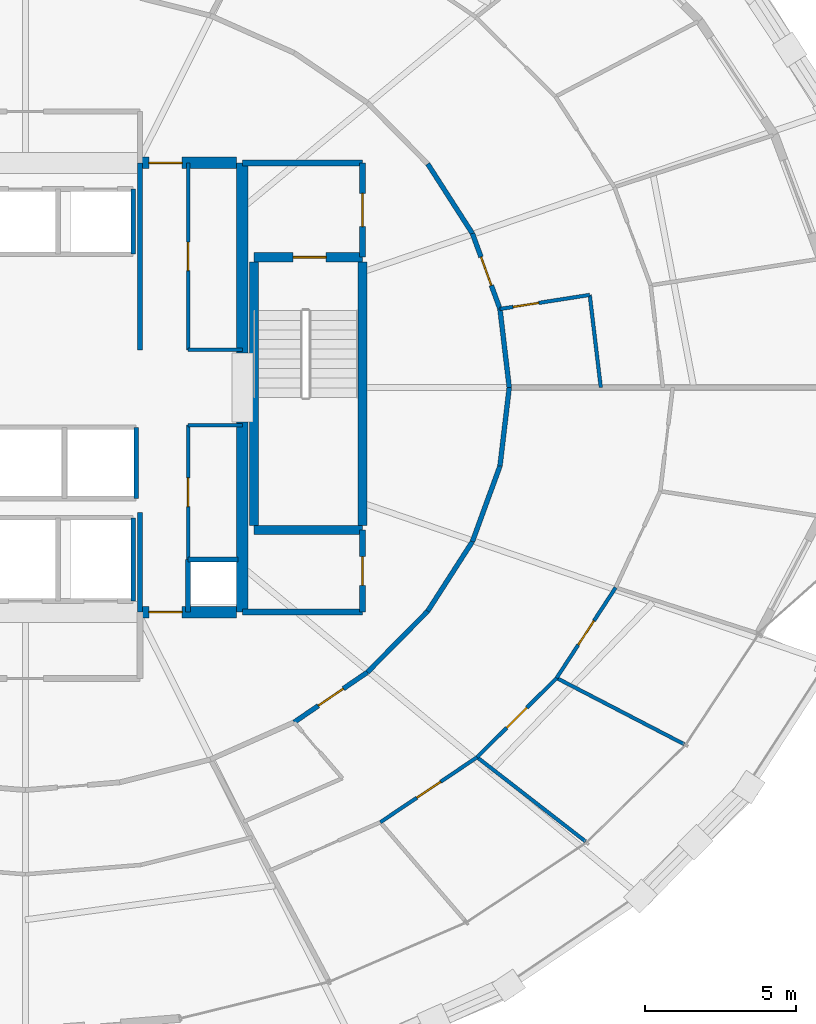
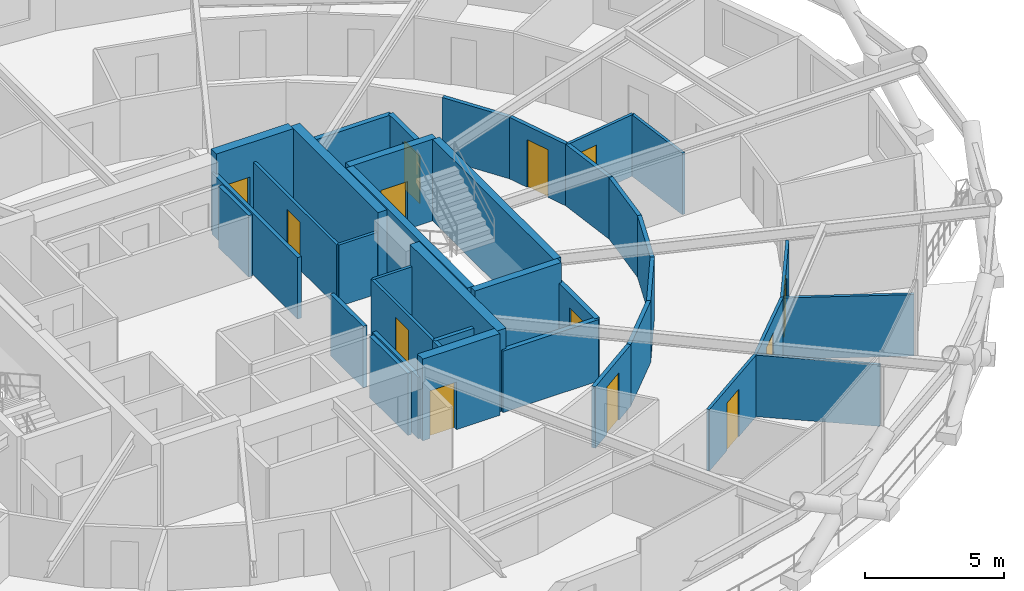
# One storey, part 17 of 21: 38 walls, 13 doors, 13 openings.
"""IFC4 building model written with IfcOpenShell, lengths in metres."""

from ifc_helpers import new_model, si_unit, direction, frame, frame_2d, origin, place, context, subcontext, project, spatial, rectangle, extrude, material, layer, layer_set, type_object, element, fill, save


model = new_model("IFC4")

# Units and contexts
model_context = context("Model", 3, precision=1e-05, world=origin(), true_north=direction((0.0, 1.0)))
body_context = subcontext(model_context, "Body", "Model", "MODEL_VIEW")
ifc_project = project(units=[si_unit("LENGTHUNIT", "METRE"), si_unit("AREAUNIT", "SQUARE_METRE"), si_unit("VOLUMEUNIT", "CUBIC_METRE"), si_unit("PLANEANGLEUNIT", "RADIAN"), si_unit("MASSUNIT", "GRAM", prefix="KILO")], contexts=[model_context])

# Site, building, storey
site_placement = place(None, origin())
site = spatial("IfcSite", under=ifc_project, at=site_placement, CompositionType="ELEMENT")
building_placement = place(site_placement, origin())
building = spatial("IfcBuilding", under=site, at=building_placement, Name="Veldorina Hangang Commons", CompositionType="ELEMENT")
storey_placement = place(building_placement, frame((0.0, 0.0, 66.39990234375)))
storey = spatial("IfcBuildingStorey", under=building, at=storey_placement, Name="L16", CompositionType="ELEMENT", Elevation=66.39990234375)

# Walls
ifc_material_1 = material(Name="Concrete C70/85", Category="concrete")
ifc_layer_1 = layer(ifc_material_1, 0.3798828125)
ifc_layer_set_1 = layer_set([ifc_layer_1], Name="Concrete C70/85")
wall_type_1 = type_object("IfcWallType", Name="CW-RC380-C70", PredefinedType="SHEAR", material=ifc_layer_set_1)
for number, where, z_axis, x_axis, name in (
    (1, (39.199951171875, 16.550048828125, 0.0), (0.0, 0.0, 1.0), (0.0, 1.0, 0.0), "L16 E south core shear wall"),
    (2, (39.199951171875, 25.14990234375, 0.0), (0.0, 0.0, 1.0), (0.0, 1.0, 0.0), "L16 E north core shear wall"),
):
    element("IfcWall", number, at=place(storey_placement, frame(where, z_axis=z_axis, x_axis=x_axis)), inside=storey, type_object=wall_type_1, Name=name, PredefinedType="SHEAR", context=body_context, shape_type="SweptSolid", body=[
        extrude(rectangle(XDim=6.300048828125, YDim=0.3798828125, at=frame_2d((3.14990234375, 0.0))), origin(), (0.0, 0.0, 1.0), 3.60009765625),
    ])

# Wall, opening, door
wall_1_placement = place(storey_placement, frame((35.800048828125, 16.550048828125, 0.0), z_axis=(0.0, 0.0, 1.0), x_axis=(1.0, 0.0, 0.0)))
wall_1 = element("IfcWall", 3, at=wall_1_placement, inside=storey, type_object=wall_type_1, Name="L16 south-east core shear wall", PredefinedType="SHEAR", context=body_context, shape_type="SweptSolid", body=[
    extrude(rectangle(XDim=3.2099609375, YDim=0.3798828125, at=frame_2d((1.60498046875, 0.0))), origin(), (0.0, 0.0, 1.0), 3.60009765625),
])
opening_1_placement = place(wall_1_placement, frame((0.300048828125, 0.0, 0.0)))
opening_1 = element("IfcOpeningElement", 4, at=opening_1_placement, cuts=wall_1, Name="Opening D-08", PredefinedType="OPENING", context=body_context, shape_type="SweptSolid", body=[
    extrude(rectangle(XDim=1.10009765625, YDim=2.10009765625, at=frame_2d((0.550048828125, 1.050048828125))), frame((0.0, 0.199951171875, 0.0), z_axis=(0.0, -1.0, 0.0), x_axis=(1.0, 0.0, 0.0)), (0.0, 0.0, 1.0), 0.39990234375),
])
ifc_material_2 = material(Name="Steel Fire-Rated Smoke Seal", Category="steel")
door_type_1 = type_object("IfcDoorType", Name="DR-FIRE-1100", OperationType="SINGLE_SWING_RIGHT", PredefinedType="DOOR", material=ifc_material_2)
door_1_placement = place(opening_1_placement, origin())
door_1 = element("IfcDoor", 5, at=door_1_placement, inside=storey, type_object=door_type_1, Name="L16 central lift lobby south corridor door", OperationType="SINGLE_SWING_RIGHT", OverallHeight=2.10009765625, OverallWidth=1.10009765625, PredefinedType="DOOR", context=body_context, shape_type="SweptSolid", body=[
    extrude(rectangle(XDim=1.10009765625, YDim=2.10009765625, at=frame_2d((0.550048828125, 1.050048828125))), frame((0.0, 0.02490234375, 0.0), z_axis=(0.0, -1.0, 0.0), x_axis=(1.0, 0.0, 0.0)), (0.0, 0.0, 1.0), 0.050048828125),
])
fill(opening_1, door_1)

wall_2_placement = place(storey_placement, frame((35.800048828125, 31.449951171875, 0.0), z_axis=(0.0, 0.0, 1.0), x_axis=(1.0, 0.0, 0.0)))
wall_2 = element("IfcWall", 6, at=wall_2_placement, inside=storey, type_object=wall_type_1, Name="L16 north-east core shear wall", PredefinedType="SHEAR", context=body_context, shape_type="SweptSolid", body=[
    extrude(rectangle(XDim=3.2099609375, YDim=0.3798828125, at=frame_2d((1.60498046875, 0.0))), origin(), (0.0, 0.0, 1.0), 3.60009765625),
])
opening_2_placement = place(wall_2_placement, frame((0.300048828125, 0.0, 0.0)))
opening_2 = element("IfcOpeningElement", 7, at=opening_2_placement, cuts=wall_2, Name="Opening D-08", PredefinedType="OPENING", context=body_context, shape_type="SweptSolid", body=[
    extrude(rectangle(XDim=1.10009765625, YDim=2.10009765625, at=frame_2d((0.550048828125, 1.050048828125))), frame((0.0, 0.199951171875, 0.0), z_axis=(0.0, -1.0, 0.0), x_axis=(1.0, 0.0, 0.0)), (0.0, 0.0, 1.0), 0.39990234375),
])
door_2_placement = place(opening_2_placement, origin())
door_2 = element("IfcDoor", 8, at=door_2_placement, inside=storey, type_object=door_type_1, Name="L16 central lift lobby north corridor door", OperationType="SINGLE_SWING_LEFT", OverallHeight=2.10009765625, OverallWidth=1.10009765625, PredefinedType="DOOR", context=body_context, shape_type="SweptSolid", body=[
    extrude(rectangle(XDim=1.10009765625, YDim=2.10009765625, at=frame_2d((0.550048828125, 1.050048828125))), frame((0.0, 0.02490234375, 0.0), z_axis=(0.0, -1.0, 0.0), x_axis=(1.0, 0.0, 0.0)), (0.0, 0.0, 1.0), 0.050048828125),
])
fill(opening_2, door_2)

# Walls
ifc_material_3 = material(Name="Concrete C50/60", Category="concrete")
ifc_layer_2 = layer(ifc_material_3, 0.300048828125)
ifc_layer_set_2 = layer_set([ifc_layer_2], Name="Concrete C50/60")
wall_type_2 = type_object("IfcWallType", Name="SW-STAIR-300", PredefinedType="SHEAR", material=ifc_layer_set_2)
for number, where, z_axis, x_axis, name in (
    (9, (43.179931640625, 19.429931640625, 0.0), (0.0, 0.0, 1.0), (0.0, 1.0, 0.0), "L16 ST2 outer stair shear wall"),
    (10, (39.580078125, 19.429931640625, 0.0), (0.0, 0.0, 1.0), (0.0, 1.0, 0.0), "L16 ST2 inner stair shear wall"),
):
    element("IfcWall", number, at=place(storey_placement, frame(where, z_axis=z_axis, x_axis=x_axis)), inside=storey, type_object=wall_type_2, Name=name, PredefinedType="SHEAR", context=body_context, shape_type="SweptSolid", body=[
        extrude(rectangle(XDim=8.739990234375, YDim=0.300048828125, at=frame_2d((4.3701171875, 0.0))), origin(), (0.0, 0.0, 1.0), 3.60009765625),
    ])
wall_3_placement = place(storey_placement, frame((39.580078125, 19.280029296875, 0.0), z_axis=(0.0, 0.0, 1.0), x_axis=(1.0, 0.0, 0.0)))
element("IfcWall", 11, at=wall_3_placement, inside=storey, type_object=wall_type_2, Name="L16 ST2 south stair shear wall", PredefinedType="SHEAR", context=body_context, shape_type="SweptSolid", body=[
    extrude(rectangle(XDim=3.599853515625, YDim=0.300048828125, at=frame_2d((1.7998046875, 0.0))), origin(), (0.0, 0.0, 1.0), 3.60009765625),
])

# Wall, opening, door
wall_4_placement = place(storey_placement, frame((39.580078125, 28.320068359375, 0.0), z_axis=(0.0, 0.0, 1.0), x_axis=(1.0, 0.0, 0.0)))
wall_4 = element("IfcWall", 12, at=wall_4_placement, inside=storey, type_object=wall_type_2, Name="L16 ST2 north stair shear wall", PredefinedType="SHEAR", context=body_context, shape_type="SweptSolid", body=[
    extrude(rectangle(XDim=3.599853515625, YDim=0.300048828125, at=frame_2d((1.7998046875, 0.0))), origin(), (0.0, 0.0, 1.0), 3.60009765625),
])
opening_3_placement = place(wall_4_placement, frame((1.300048828125, 0.0, 0.0)))
opening_3 = element("IfcOpeningElement", 13, at=opening_3_placement, cuts=wall_4, Name="Opening D-08", PredefinedType="OPENING", context=body_context, shape_type="SweptSolid", body=[
    extrude(rectangle(XDim=1.10009765625, YDim=2.10009765625, at=frame_2d((0.550048828125, 1.050048828125))), frame((0.0, 0.16015625, 0.0), z_axis=(0.0, -1.0, 0.0), x_axis=(1.0, 0.0, 0.0)), (0.0, 0.0, 1.0), 0.320068359375),
])
door_3_placement = place(opening_3_placement, origin())
door_3 = element("IfcDoor", 14, at=door_3_placement, inside=storey, type_object=door_type_1, Name="L16 Special Escape Stair ST-2 door", OperationType="SINGLE_SWING_RIGHT", OverallHeight=2.10009765625, OverallWidth=1.10009765625, PredefinedType="DOOR", context=body_context, shape_type="SweptSolid", body=[
    extrude(rectangle(XDim=1.10009765625, YDim=2.10009765625, at=frame_2d((0.550048828125, 1.050048828125))), frame((0.0, 0.02490234375, 0.0), z_axis=(0.0, -1.0, 0.0), x_axis=(1.0, 0.0, 0.0)), (0.0, 0.0, 1.0), 0.050048828125),
])
fill(opening_3, door_3)

# Walls
ifc_material_4 = material(Name="Gypsum Fire-Rated Twin Stud Wall", Category="gypsum")
ifc_layer_3 = layer(ifc_material_4, 0.159912109375)
ifc_layer_set_3 = layer_set([ifc_layer_3], Name="Gypsum Fire-Rated Twin Stud Wall")
wall_type_3 = type_object("IfcWallType", Name="WL-FIRE-160", PredefinedType="SOLIDWALL", material=ifc_layer_set_3)
wall_5_placement = place(storey_placement, frame((35.800048828125, 16.550048828125, 0.0), z_axis=(0.0, 0.0, 1.0), x_axis=(0.0, 1.0, 0.0)))
element("IfcWall", 15, at=wall_5_placement, inside=storey, type_object=wall_type_3, Name="L16 Lift passage SW wall 009", PredefinedType="SOLIDWALL", context=body_context, shape_type="SweptSolid", body=[
    extrude(rectangle(XDim=3.300048828125, YDim=0.159912109375, at=frame_2d((1.64990234375, 0.0))), origin(), (0.0, 0.0, 1.0), 2.710205078125),
])
wall_6_placement = place(storey_placement, frame((37.39990234375, 16.550048828125, 0.0), z_axis=(0.0, 0.0, 1.0), x_axis=(0.0, 1.0, 0.0)))
element("IfcWall", 16, at=wall_6_placement, inside=storey, type_object=wall_type_3, Name="L16 Lift passage SE stub 010", PredefinedType="SOLIDWALL", context=body_context, shape_type="SweptSolid", body=[
    extrude(rectangle(XDim=1.75, YDim=0.159912109375, at=frame_2d((0.875, 0.0))), origin(), (0.0, 0.0, 1.0), 2.710205078125),
])
wall_7_placement = place(storey_placement, frame((35.800048828125, 25.25, 0.0), z_axis=(0.0, 0.0, 1.0), x_axis=(0.0, 1.0, 0.0)))
element("IfcWall", 17, at=wall_7_placement, inside=storey, type_object=wall_type_3, Name="L16 Lift passage NW wall 011", PredefinedType="SOLIDWALL", context=body_context, shape_type="SweptSolid", body=[
    extrude(rectangle(XDim=6.199951171875, YDim=0.159912109375, at=frame_2d((3.10009765625, 0.0))), origin(), (0.0, 0.0, 1.0), 2.710205078125),
])
wall_8_placement = place(storey_placement, frame((35.580078125, 28.419921875, 0.0), z_axis=(0.0, 0.0, 1.0), x_axis=(0.0, 1.0, 0.0)))
element("IfcWall", 18, at=wall_8_placement, inside=storey, type_object=wall_type_3, Name="L16 PL-L3 east shaft wall 020", PredefinedType="SOLIDWALL", context=body_context, shape_type="SweptSolid", body=[
    extrude(rectangle(XDim=2.16015625, YDim=0.159912109375, at=frame_2d((1.080078125, 0.0))), origin(), (0.0, 0.0, 1.0), 2.710205078125),
])
wall_9_placement = place(storey_placement, frame((35.679931640625, 20.320068359375, 0.0), z_axis=(0.0, 0.0, 1.0), x_axis=(0.0, 1.0, 0.0)))
element("IfcWall", 19, at=wall_9_placement, inside=storey, type_object=wall_type_3, Name="L16 SL-2 east shaft wall 025", PredefinedType="SOLIDWALL", context=body_context, shape_type="SweptSolid", body=[
    extrude(rectangle(XDim=2.35986328125, YDim=0.159912109375, at=frame_2d((1.179931640625, 0.0))), origin(), (0.0, 0.0, 1.0), 2.710205078125),
])
wall_10_placement = place(storey_placement, frame((35.580078125, 16.919921875, 0.0), z_axis=(0.0, 0.0, 1.0), x_axis=(0.0, 1.0, 0.0)))
element("IfcWall", 20, at=wall_10_placement, inside=storey, type_object=wall_type_3, Name="L16 EVL-1 east shaft wall 031", PredefinedType="SOLIDWALL", context=body_context, shape_type="SweptSolid", body=[
    extrude(rectangle(XDim=2.760009765625, YDim=0.159912109375, at=frame_2d((1.3798828125, 0.0))), origin(), (0.0, 0.0, 1.0), 2.710205078125),
])
wall_11_placement = place(storey_placement, frame((37.39990234375, 18.300048828125, 0.0), z_axis=(0.0, 0.0, 1.0), x_axis=(1.0, 0.0, 0.0)))
element("IfcWall", 21, at=wall_11_placement, inside=storey, type_object=wall_type_3, Name="L16 Plumbing riser wall 037", PredefinedType="SOLIDWALL", context=body_context, shape_type="SweptSolid", body=[
    extrude(rectangle(XDim=1.650146484375, YDim=0.159912109375, at=frame_2d((0.8251953125, 0.0))), origin(), (0.0, 0.0, 1.0), 2.710205078125),
])
wall_12_placement = place(storey_placement, frame((48.050048828125, 24.0, 0.0), z_axis=(0.0, 0.0, 1.0), x_axis=(-0.117570353762, 0.993064555765, 0.0)))
element("IfcWall", 22, at=wall_12_placement, inside=storey, type_object=wall_type_3, Name="L16 Corridor outer wall 00 048", PredefinedType="SOLIDWALL", context=body_context, shape_type="SweptSolid", body=[
    extrude(rectangle(XDim=2.622802734375, YDim=0.159912109375, at=frame_2d((1.3115234375, 0.0))), origin(), (0.0, 0.0, 1.0), 2.710205078125),
])

# Wall, opening, door
wall_13_placement = place(storey_placement, frame((47.74169921875, 26.6044921875, 0.0), z_axis=(0.0, 0.0, 1.0), x_axis=(-0.342617982381, 0.939474809747, 0.0)))
wall_13 = element("IfcWall", 23, at=wall_13_placement, inside=storey, type_object=wall_type_3, Name="L16 Corridor outer wall 01 049", PredefinedType="SOLIDWALL", context=body_context, shape_type="SweptSolid", body=[
    extrude(rectangle(XDim=2.665771484375, YDim=0.159912109375, at=frame_2d((1.3330078125, 0.0))), origin(), (0.0, 0.0, 1.0), 2.710205078125),
])
opening_4_placement = place(wall_13_placement, frame((0.832763671875, 0.0, 0.0)))
opening_4 = element("IfcOpeningElement", 24, at=opening_4_placement, cuts=wall_13, Name="Opening D-06", PredefinedType="OPENING", context=body_context, shape_type="SweptSolid", body=[
    extrude(rectangle(XDim=1.0, YDim=2.10009765625, at=frame_2d((0.5, 1.050048828125))), frame((0.0, 0.08984375, 0.0), z_axis=(0.0, -1.0, 0.0), x_axis=(1.0, 0.0, 0.0)), (0.0, 0.0, 1.0), 0.179931640625),
])
ifc_material_5 = material(Name="Timber Fire-Rated Entrance Core", Category="wood")
door_type_2 = type_object("IfcDoorType", Name="DR-UNIT-1000", OperationType="SINGLE_SWING_LEFT", PredefinedType="DOOR", material=ifc_material_5)
door_4_placement = place(opening_4_placement, origin())
door_4 = element("IfcDoor", 25, at=door_4_placement, inside=storey, type_object=door_type_2, Name="L16 Cluster 3 entrance door 031", OperationType="SINGLE_SWING_LEFT", OverallHeight=2.10009765625, OverallWidth=1.0, PredefinedType="DOOR", context=body_context, shape_type="SweptSolid", body=[
    extrude(rectangle(XDim=1.0, YDim=2.10009765625, at=frame_2d((0.5, 1.050048828125))), frame((0.0, 0.02490234375, 0.0), z_axis=(0.0, -1.0, 0.0), x_axis=(1.0, 0.0, 0.0)), (0.0, 0.0, 1.0), 0.050048828125),
])
fill(opening_4, door_4)

# Wall
wall_14_placement = place(storey_placement, frame((46.828369140625, 29.10888671875, 0.0), z_axis=(0.0, 0.0, 1.0), x_axis=(-0.540595670038, 0.841282545603, 0.0)))
element("IfcWall", 26, at=wall_14_placement, inside=storey, type_object=wall_type_3, Name="L16 Corridor outer wall 02 050", PredefinedType="SOLIDWALL", context=body_context, shape_type="SweptSolid", body=[
    extrude(rectangle(XDim=2.74365234375, YDim=0.159912109375, at=frame_2d((1.371826171875, 0.0))), origin(), (0.0, 0.0, 1.0), 2.710205078125),
])

# Wall, opening, door
wall_15_placement = place(storey_placement, frame((40.9169921875, 12.89990234375, 0.0), z_axis=(0.0, 0.0, 1.0), x_axis=(0.825929039072, 0.563774088104, 0.0)))
wall_15 = element("IfcWall", 27, at=wall_15_placement, inside=storey, type_object=wall_type_3, Name="L16 Corridor outer wall 27 075", PredefinedType="SOLIDWALL", context=body_context, shape_type="SweptSolid", body=[
    extrude(rectangle(XDim=2.94482421875, YDim=0.159912109375, at=frame_2d((1.472412109375, 0.0))), origin(), (0.0, 0.0, 1.0), 2.710205078125),
])
opening_5_placement = place(wall_15_placement, frame((0.972412109375, 0.0, 0.0)))
opening_5 = element("IfcOpeningElement", 28, at=opening_5_placement, cuts=wall_15, Name="Opening D-06", PredefinedType="OPENING", context=body_context, shape_type="SweptSolid", body=[
    extrude(rectangle(XDim=1.0, YDim=2.10009765625, at=frame_2d((0.5, 1.050048828125))), frame((0.0, 0.08984375, 0.0), z_axis=(0.0, -1.0, 0.0), x_axis=(1.0, 0.0, 0.0)), (0.0, 0.0, 1.0), 0.179931640625),
])
door_5_placement = place(opening_5_placement, origin())
door_5 = element("IfcDoor", 29, at=door_5_placement, inside=storey, type_object=door_type_2, Name="L16 Cluster 2 entrance door 023", OperationType="SINGLE_SWING_LEFT", OverallHeight=2.10009765625, OverallWidth=1.0, PredefinedType="DOOR", context=body_context, shape_type="SweptSolid", body=[
    extrude(rectangle(XDim=1.0, YDim=2.10009765625, at=frame_2d((0.5, 1.050048828125))), frame((0.0, 0.02490234375, 0.0), z_axis=(0.0, -1.0, 0.0), x_axis=(1.0, 0.0, 0.0)), (0.0, 0.0, 1.0), 0.050048828125),
])
fill(opening_5, door_5)

# Walls
wall_16_placement = place(storey_placement, frame((43.34912109375, 14.56005859375, 0.0), z_axis=(0.0, 0.0, 1.0), x_axis=(0.702366174226, 0.711815816981, 0.0)))
element("IfcWall", 30, at=wall_16_placement, inside=storey, type_object=wall_type_3, Name="L16 Corridor outer wall 28 076", PredefinedType="SOLIDWALL", context=body_context, shape_type="SweptSolid", body=[
    extrude(rectangle(XDim=2.842041015625, YDim=0.159912109375, at=frame_2d((1.4208984375, 0.0))), origin(), (0.0, 0.0, 1.0), 2.710205078125),
])
wall_17_placement = place(storey_placement, frame((45.34521484375, 16.5830078125, 0.0), z_axis=(0.0, 0.0, 1.0), x_axis=(0.540595670038, 0.841282545603, 0.0)))
element("IfcWall", 31, at=wall_17_placement, inside=storey, type_object=wall_type_3, Name="L16 Corridor outer wall 29 077", PredefinedType="SOLIDWALL", context=body_context, shape_type="SweptSolid", body=[
    extrude(rectangle(XDim=2.74365234375, YDim=0.159912109375, at=frame_2d((1.371826171875, 0.0))), origin(), (0.0, 0.0, 1.0), 2.710205078125),
])
wall_18_placement = place(storey_placement, frame((46.828369140625, 18.89111328125, 0.0), z_axis=(0.0, 0.0, 1.0), x_axis=(0.342617982381, 0.939474809747, 0.0)))
element("IfcWall", 32, at=wall_18_placement, inside=storey, type_object=wall_type_3, Name="L16 Corridor outer wall 30 078", PredefinedType="SOLIDWALL", context=body_context, shape_type="SweptSolid", body=[
    extrude(rectangle(XDim=2.665771484375, YDim=0.159912109375, at=frame_2d((1.3330078125, 0.0))), origin(), (0.0, 0.0, 1.0), 2.710205078125),
])
wall_19_placement = place(storey_placement, frame((47.74169921875, 21.3955078125, 0.0), z_axis=(0.0, 0.0, 1.0), x_axis=(0.117570353762, 0.993064555765, 0.0)))
element("IfcWall", 33, at=wall_19_placement, inside=storey, type_object=wall_type_3, Name="L16 Corridor outer wall 31 079", PredefinedType="SOLIDWALL", context=body_context, shape_type="SweptSolid", body=[
    extrude(rectangle(XDim=2.622802734375, YDim=0.159912109375, at=frame_2d((1.3115234375, 0.0))), origin(), (0.0, 0.0, 1.0), 2.710205078125),
])

# Wall, opening, door
ifc_material_6 = material(Name="Concrete Blockwork Fire Wall C30/37", Category="masonry")
ifc_layer_4 = layer(ifc_material_6, 0.199951171875)
ifc_layer_set_4 = layer_set([ifc_layer_4], Name="Concrete Blockwork Fire Wall C30/37")
wall_type_4 = type_object("IfcWallType", Name="WL-FIRE-200", PredefinedType="SOLIDWALL", material=ifc_layer_set_4)
wall_20_placement = place(storey_placement, frame((43.179931640625, 28.320068359375, 0.0), z_axis=(0.0, 0.0, 1.0), x_axis=(0.0, 1.0, 0.0)))
wall_20 = element("IfcWall", 34, at=wall_20_placement, inside=storey, type_object=wall_type_4, Name="L16 East vestibule outer wall 003", PredefinedType="SOLIDWALL", context=body_context, shape_type="SweptSolid", body=[
    extrude(rectangle(XDim=3.1298828125, YDim=0.199951171875, at=frame_2d((1.56494140625, 0.0))), origin(), (0.0, 0.0, 1.0), 2.710205078125),
])
opening_6_placement = place(wall_20_placement, frame((1.014892578125, 0.0, 0.0)))
opening_6 = element("IfcOpeningElement", 35, at=opening_6_placement, cuts=wall_20, Name="Opening D-08", PredefinedType="OPENING", context=body_context, shape_type="SweptSolid", body=[
    extrude(rectangle(XDim=1.10009765625, YDim=2.10009765625, at=frame_2d((0.550048828125, 1.050048828125))), frame((0.0, 0.10986328125, 0.0), z_axis=(0.0, -1.0, 0.0), x_axis=(1.0, 0.0, 0.0)), (0.0, 0.0, 1.0), 0.219970703125),
])
door_6_placement = place(opening_6_placement, origin())
door_6 = element("IfcDoor", 36, at=door_6_placement, inside=storey, type_object=door_type_1, Name="L16 East vestibule east door 002", OperationType="SINGLE_SWING_RIGHT", OverallHeight=2.10009765625, OverallWidth=1.10009765625, PredefinedType="DOOR", context=body_context, shape_type="SweptSolid", body=[
    extrude(rectangle(XDim=1.10009765625, YDim=2.10009765625, at=frame_2d((0.550048828125, 1.050048828125))), frame((0.0, 0.02490234375, 0.0), z_axis=(0.0, -1.0, 0.0), x_axis=(1.0, 0.0, 0.0)), (0.0, 0.0, 1.0), 0.050048828125),
])
fill(opening_6, door_6)

# Wall
wall_21_placement = place(storey_placement, frame((39.199951171875, 31.449951171875, 0.0), z_axis=(0.0, 0.0, 1.0), x_axis=(1.0, 0.0, 0.0)))
element("IfcWall", 37, at=wall_21_placement, inside=storey, type_object=wall_type_4, Name="L16 East vestibule north wall 004", PredefinedType="SOLIDWALL", context=body_context, shape_type="SweptSolid", body=[
    extrude(rectangle(XDim=3.97998046875, YDim=0.199951171875, at=frame_2d((1.989990234375, 0.0))), origin(), (0.0, 0.0, 1.0), 2.710205078125),
])

# Wall, opening, door
wall_22_placement = place(storey_placement, frame((43.179931640625, 16.550048828125, 0.0), z_axis=(0.0, 0.0, 1.0), x_axis=(0.0, 1.0, 0.0)))
wall_22 = element("IfcWall", 38, at=wall_22_placement, inside=storey, type_object=wall_type_4, Name="L16 SE core room outer wall 007", PredefinedType="SOLIDWALL", context=body_context, shape_type="SweptSolid", body=[
    extrude(rectangle(XDim=2.72998046875, YDim=0.199951171875, at=frame_2d((1.364990234375, 0.0))), origin(), (0.0, 0.0, 1.0), 2.710205078125),
])
opening_7_placement = place(wall_22_placement, frame((0.889892578125, 0.0, 0.0)))
opening_7 = element("IfcOpeningElement", 39, at=opening_7_placement, cuts=wall_22, Name="Opening D-02", PredefinedType="OPENING", context=body_context, shape_type="SweptSolid", body=[
    extrude(rectangle(XDim=0.949951171875, YDim=2.10009765625, at=frame_2d((0.47509765625, 1.050048828125))), frame((0.0, 0.10986328125, 0.0), z_axis=(0.0, -1.0, 0.0), x_axis=(1.0, 0.0, 0.0)), (0.0, 0.0, 1.0), 0.219970703125),
])
ifc_material_7 = material(Name="Timber Solid Core Acoustic", Category="wood")
door_type_3 = type_object("IfcDoorType", Name="DR-INT-950", OperationType="SINGLE_SWING_LEFT", PredefinedType="DOOR", material=ifc_material_7)
door_7_placement = place(opening_7_placement, origin())
door_7 = element("IfcDoor", 40, at=door_7_placement, inside=storey, type_object=door_type_3, Name="L16 SE core WC door 004", OperationType="SINGLE_SWING_RIGHT", OverallHeight=2.10009765625, OverallWidth=0.949951171875, PredefinedType="DOOR", context=body_context, shape_type="SweptSolid", body=[
    extrude(rectangle(XDim=0.949951171875, YDim=2.10009765625, at=frame_2d((0.47509765625, 1.050048828125))), frame((0.0, 0.02490234375, 0.0), z_axis=(0.0, -1.0, 0.0), x_axis=(1.0, 0.0, 0.0)), (0.0, 0.0, 1.0), 0.050048828125),
])
fill(opening_7, door_7)

# Wall
wall_23_placement = place(storey_placement, frame((39.199951171875, 16.550048828125, 0.0), z_axis=(0.0, 0.0, 1.0), x_axis=(1.0, 0.0, 0.0)))
element("IfcWall", 41, at=wall_23_placement, inside=storey, type_object=wall_type_4, Name="L16 SE core room south wall 008", PredefinedType="SOLIDWALL", context=body_context, shape_type="SweptSolid", body=[
    extrude(rectangle(XDim=3.97998046875, YDim=0.199951171875, at=frame_2d((1.989990234375, 0.0))), origin(), (0.0, 0.0, 1.0), 2.710205078125),
])

# Wall, opening, door
ifc_material_8 = material(Name="Gypsum Acoustic Stud Partition", Category="gypsum")
ifc_layer_5 = layer(ifc_material_8, 0.1201171875)
ifc_layer_set_5 = layer_set([ifc_layer_5], Name="Gypsum Acoustic Stud Partition")
wall_type_5 = type_object("IfcWallType", Name="WL-PART-120", PredefinedType="PARTITIONING", material=ifc_layer_set_5)
wall_24_placement = place(storey_placement, frame((37.39990234375, 25.25, 0.0), z_axis=(0.0, 0.0, 1.0), x_axis=(0.0, 1.0, 0.0)))
wall_24 = element("IfcWall", 42, at=wall_24_placement, inside=storey, type_object=wall_type_5, Name="L16 NE strip lobby wall 041", PredefinedType="PARTITIONING", context=body_context, shape_type="SweptSolid", body=[
    extrude(rectangle(XDim=6.199951171875, YDim=0.1201171875, at=frame_2d((3.10009765625, 0.0))), origin(), (0.0, 0.0, 1.0), 2.710205078125),
])
opening_8_placement = place(wall_24_placement, frame((2.625, 0.0, 0.0)))
opening_8 = element("IfcOpeningElement", 43, at=opening_8_placement, cuts=wall_24, Name="Opening D-02", PredefinedType="OPENING", context=body_context, shape_type="SweptSolid", body=[
    extrude(rectangle(XDim=0.949951171875, YDim=2.10009765625, at=frame_2d((0.47509765625, 1.050048828125))), frame((0.0, 0.070068359375, 0.0), z_axis=(0.0, -1.0, 0.0), x_axis=(1.0, 0.0, 0.0)), (0.0, 0.0, 1.0), 0.14013671875),
])
door_8_placement = place(opening_8_placement, origin())
door_8 = element("IfcDoor", 44, at=door_8_placement, inside=storey, type_object=door_type_3, Name="L16 Switchboard door 018", OperationType="SINGLE_SWING_RIGHT", OverallHeight=2.10009765625, OverallWidth=0.949951171875, PredefinedType="DOOR", context=body_context, shape_type="SweptSolid", body=[
    extrude(rectangle(XDim=0.949951171875, YDim=2.10009765625, at=frame_2d((0.47509765625, 1.050048828125))), frame((0.0, 0.02490234375, 0.0), z_axis=(0.0, -1.0, 0.0), x_axis=(1.0, 0.0, 0.0)), (0.0, 0.0, 1.0), 0.050048828125),
])
fill(opening_8, door_8)

# Wall
wall_25_placement = place(storey_placement, frame((37.39990234375, 25.25, 0.0), z_axis=(0.0, 0.0, 1.0), x_axis=(1.0, 0.0, 0.0)))
element("IfcWall", 45, at=wall_25_placement, inside=storey, type_object=wall_type_5, Name="L16 NE strip south return wall 042", PredefinedType="PARTITIONING", context=body_context, shape_type="SweptSolid", body=[
    extrude(rectangle(XDim=1.800048828125, YDim=0.1201171875, at=frame_2d((0.89990234375, 0.0))), origin(), (0.0, 0.0, 1.0), 2.710205078125),
])

# Wall, opening, door
wall_26_placement = place(storey_placement, frame((37.39990234375, 18.300048828125, 0.0), z_axis=(0.0, 0.0, 1.0), x_axis=(0.0, 1.0, 0.0)))
wall_26 = element("IfcWall", 46, at=wall_26_placement, inside=storey, type_object=wall_type_5, Name="L16 SE strip lobby wall 043", PredefinedType="PARTITIONING", context=body_context, shape_type="SweptSolid", body=[
    extrude(rectangle(XDim=4.449951171875, YDim=0.1201171875, at=frame_2d((2.22509765625, 0.0))), origin(), (0.0, 0.0, 1.0), 2.710205078125),
])
opening_9_placement = place(wall_26_placement, frame((1.75, 0.0, 0.0)))
opening_9 = element("IfcOpeningElement", 47, at=opening_9_placement, cuts=wall_26, Name="Opening D-02", PredefinedType="OPENING", context=body_context, shape_type="SweptSolid", body=[
    extrude(rectangle(XDim=0.949951171875, YDim=2.10009765625, at=frame_2d((0.47509765625, 1.050048828125))), frame((0.0, 0.070068359375, 0.0), z_axis=(0.0, -1.0, 0.0), x_axis=(1.0, 0.0, 0.0)), (0.0, 0.0, 1.0), 0.14013671875),
])
door_9_placement = place(opening_9_placement, origin())
door_9 = element("IfcDoor", 48, at=door_9_placement, inside=storey, type_object=door_type_3, Name="L16 Telemetry door 019", OperationType="SINGLE_SWING_LEFT", OverallHeight=2.10009765625, OverallWidth=0.949951171875, PredefinedType="DOOR", context=body_context, shape_type="SweptSolid", body=[
    extrude(rectangle(XDim=0.949951171875, YDim=2.10009765625, at=frame_2d((0.47509765625, 1.050048828125))), frame((0.0, 0.02490234375, 0.0), z_axis=(0.0, -1.0, 0.0), x_axis=(1.0, 0.0, 0.0)), (0.0, 0.0, 1.0), 0.050048828125),
])
fill(opening_9, door_9)

# Wall
wall_27_placement = place(storey_placement, frame((37.39990234375, 22.75, 0.0), z_axis=(0.0, 0.0, 1.0), x_axis=(1.0, 0.0, 0.0)))
element("IfcWall", 49, at=wall_27_placement, inside=storey, type_object=wall_type_5, Name="L16 SE strip north return wall 044", PredefinedType="PARTITIONING", context=body_context, shape_type="SweptSolid", body=[
    extrude(rectangle(XDim=1.800048828125, YDim=0.1201171875, at=frame_2d((0.89990234375, 0.0))), origin(), (0.0, 0.0, 1.0), 2.710205078125),
])

# Wall, opening, door
wall_28_placement = place(storey_placement, frame((43.77294921875, 9.581787109375, 0.0), z_axis=(0.0, 0.0, 1.0), x_axis=(0.830171470733, 0.557508142704, 0.0)))
wall_28 = element("IfcWall", 50, at=wall_28_placement, inside=storey, type_object=wall_type_5, Name="L16 Cluster 2 bed 2 front wall 088", PredefinedType="PARTITIONING", context=body_context, shape_type="SweptSolid", body=[
    extrude(rectangle(XDim=3.8681640625, YDim=0.1201171875, at=frame_2d((1.93408203125, 0.0))), origin(), (0.0, 0.0, 1.0), 2.710205078125),
])
opening_10_placement = place(wall_28_placement, frame((1.458984375, 0.0, 0.0)))
opening_10 = element("IfcOpeningElement", 51, at=opening_10_placement, cuts=wall_28, Name="Opening D-02", PredefinedType="OPENING", context=body_context, shape_type="SweptSolid", body=[
    extrude(rectangle(XDim=0.949951171875, YDim=2.10009765625, at=frame_2d((0.47509765625, 1.050048828125))), frame((0.0, 0.070068359375, 0.0), z_axis=(0.0, -1.0, 0.0), x_axis=(1.0, 0.0, 0.0)), (0.0, 0.0, 1.0), 0.14013671875),
])
door_10_placement = place(opening_10_placement, origin())
door_10 = element("IfcDoor", 52, at=door_10_placement, inside=storey, type_object=door_type_3, Name="L16 Cluster 2 bed 2 door 025", OperationType="SINGLE_SWING_LEFT", OverallHeight=2.10009765625, OverallWidth=0.949951171875, PredefinedType="DOOR", context=body_context, shape_type="SweptSolid", body=[
    extrude(rectangle(XDim=0.949951171875, YDim=2.10009765625, at=frame_2d((0.47509765625, 1.050048828125))), frame((0.0, 0.02490234375, 0.0), z_axis=(0.0, -1.0, 0.0), x_axis=(1.0, 0.0, 0.0)), (0.0, 0.0, 1.0), 0.050048828125),
])
fill(opening_10, door_10)

wall_29_placement = place(storey_placement, frame((46.984130859375, 11.73828125, 0.0), z_axis=(0.0, 0.0, 1.0), x_axis=(0.708122902463, 0.706089197629, 0.0)))
wall_29 = element("IfcWall", 53, at=wall_29_placement, inside=storey, type_object=wall_type_5, Name="L16 Cluster 2 bed 3 front wall 090", PredefinedType="PARTITIONING", context=body_context, shape_type="SweptSolid", body=[
    extrude(rectangle(XDim=3.721435546875, YDim=0.1201171875, at=frame_2d((1.86083984375, 0.0))), origin(), (0.0, 0.0, 1.0), 2.710205078125),
])
opening_11_placement = place(wall_29_placement, frame((1.3857421875, 0.0, 0.0)))
opening_11 = element("IfcOpeningElement", 54, at=opening_11_placement, cuts=wall_29, Name="Opening D-02", PredefinedType="OPENING", context=body_context, shape_type="SweptSolid", body=[
    extrude(rectangle(XDim=0.949951171875, YDim=2.10009765625, at=frame_2d((0.47509765625, 1.050048828125))), frame((0.0, 0.070068359375, 0.0), z_axis=(0.0, -1.0, 0.0), x_axis=(1.0, 0.0, 0.0)), (0.0, 0.0, 1.0), 0.14013671875),
])
door_11_placement = place(opening_11_placement, origin())
door_11 = element("IfcDoor", 55, at=door_11_placement, inside=storey, type_object=door_type_3, Name="L16 Cluster 2 bed 3 door 026", OperationType="SINGLE_SWING_RIGHT", OverallHeight=2.10009765625, OverallWidth=0.949951171875, PredefinedType="DOOR", context=body_context, shape_type="SweptSolid", body=[
    extrude(rectangle(XDim=0.949951171875, YDim=2.10009765625, at=frame_2d((0.47509765625, 1.050048828125))), frame((0.0, 0.02490234375, 0.0), z_axis=(0.0, -1.0, 0.0), x_axis=(1.0, 0.0, 0.0)), (0.0, 0.0, 1.0), 0.050048828125),
])
fill(opening_11, door_11)

# Wall
wall_30_placement = place(storey_placement, frame((46.984130859375, 11.73828125, 0.0), z_axis=(0.0, 0.0, 1.0), x_axis=(0.789906415473, -0.613227408712, 0.0)))
element("IfcWall", 56, at=wall_30_placement, inside=storey, type_object=wall_type_5, Name="L16 Cluster 2 bed divider 2 091", PredefinedType="PARTITIONING", context=body_context, shape_type="SweptSolid", body=[
    extrude(rectangle(XDim=4.5517578125, YDim=0.1201171875, at=frame_2d((2.27587890625, 0.0))), origin(), (0.0, 0.0, 1.0), 2.710205078125),
])

# Wall, opening, door
wall_31_placement = place(storey_placement, frame((49.619384765625, 14.365966796875, 0.0), z_axis=(0.0, 0.0, 1.0), x_axis=(0.546856201366, 0.837226549404, 0.0)))
wall_31 = element("IfcWall", 57, at=wall_31_placement, inside=storey, type_object=wall_type_5, Name="L16 Cluster 2 bed 4 front wall 092", PredefinedType="PARTITIONING", context=body_context, shape_type="SweptSolid", body=[
    extrude(rectangle(XDim=3.580810546875, YDim=0.1201171875, at=frame_2d((1.79052734375, 0.0))), origin(), (0.0, 0.0, 1.0), 2.710205078125),
])
opening_12_placement = place(wall_31_placement, frame((1.3154296875, 0.0, 0.0)))
opening_12 = element("IfcOpeningElement", 58, at=opening_12_placement, cuts=wall_31, Name="Opening D-02", PredefinedType="OPENING", context=body_context, shape_type="SweptSolid", body=[
    extrude(rectangle(XDim=0.949951171875, YDim=2.10009765625, at=frame_2d((0.47509765625, 1.050048828125))), frame((0.0, 0.070068359375, 0.0), z_axis=(0.0, -1.0, 0.0), x_axis=(1.0, 0.0, 0.0)), (0.0, 0.0, 1.0), 0.14013671875),
])
door_12_placement = place(opening_12_placement, origin())
door_12 = element("IfcDoor", 59, at=door_12_placement, inside=storey, type_object=door_type_3, Name="L16 Cluster 2 bed 4 door 027", OperationType="SINGLE_SWING_LEFT", OverallHeight=2.10009765625, OverallWidth=0.949951171875, PredefinedType="DOOR", context=body_context, shape_type="SweptSolid", body=[
    extrude(rectangle(XDim=0.949951171875, YDim=2.10009765625, at=frame_2d((0.47509765625, 1.050048828125))), frame((0.0, 0.02490234375, 0.0), z_axis=(0.0, -1.0, 0.0), x_axis=(1.0, 0.0, 0.0)), (0.0, 0.0, 1.0), 0.050048828125),
])
fill(opening_12, door_12)

# Walls
wall_32_placement = place(storey_placement, frame((49.619384765625, 14.365966796875, 0.0), z_axis=(0.0, 0.0, 1.0), x_axis=(0.887688609881, -0.460444276636, 0.0)))
element("IfcWall", 60, at=wall_32_placement, inside=storey, type_object=wall_type_5, Name="L16 Cluster 2 bed divider 3 093", PredefinedType="PARTITIONING", context=body_context, shape_type="SweptSolid", body=[
    extrude(rectangle(XDim=4.76513671875, YDim=0.1201171875, at=frame_2d((2.382568359375, 0.0))), origin(), (0.0, 0.0, 1.0), 2.710205078125),
])
wall_33_placement = place(storey_placement, frame((51.085693359375, 24.0, 0.0), z_axis=(0.0, 0.0, 1.0), x_axis=(-0.118563134326, 0.99294651577, 0.0)))
element("IfcWall", 61, at=wall_33_placement, inside=storey, type_object=wall_type_5, Name="L16 Cluster 3 bath front wall 099", PredefinedType="PARTITIONING", context=body_context, shape_type="SweptSolid", body=[
    extrude(rectangle(XDim=3.0927734375, YDim=0.1201171875, at=frame_2d((1.54638671875, 0.0))), origin(), (0.0, 0.0, 1.0), 2.710205078125),
])

# Wall, opening, door
wall_34_placement = place(storey_placement, frame((47.74169921875, 26.6044921875, 0.0), z_axis=(0.0, 0.0, 1.0), x_axis=(0.987943590132, 0.154814284604, 0.0)))
wall_34 = element("IfcWall", 62, at=wall_34_placement, inside=storey, type_object=wall_type_5, Name="L16 Cluster 3 bath side wall 100", PredefinedType="PARTITIONING", context=body_context, shape_type="SweptSolid", body=[
    extrude(rectangle(XDim=3.013671875, YDim=0.1201171875, at=frame_2d((1.5068359375, 0.0))), origin(), (0.0, 0.0, 1.0), 2.710205078125),
])
opening_13_placement = place(wall_34_placement, frame((0.43994140625, 0.0, 0.0)))
opening_13 = element("IfcOpeningElement", 63, at=opening_13_placement, cuts=wall_34, Name="Opening D-01", PredefinedType="OPENING", context=body_context, shape_type="SweptSolid", body=[
    extrude(rectangle(XDim=0.860107421875, YDim=2.10009765625, at=frame_2d((0.43017578125, 1.050048828125))), frame((0.0, 0.070068359375, 0.0), z_axis=(0.0, -1.0, 0.0), x_axis=(1.0, 0.0, 0.0)), (0.0, 0.0, 1.0), 0.14013671875),
])
ifc_material_9 = material(Name="Timber Moisture-Resistant Core", Category="wood")
door_type_4 = type_object("IfcDoorType", Name="DR-WET-860", OperationType="SINGLE_SWING_LEFT", PredefinedType="DOOR", material=ifc_material_9)
door_13_placement = place(opening_13_placement, origin())
door_13 = element("IfcDoor", 64, at=door_13_placement, inside=storey, type_object=door_type_4, Name="L16 Cluster 3 shared bathroom door 030", OperationType="SINGLE_SWING_RIGHT", OverallHeight=2.10009765625, OverallWidth=0.860107421875, PredefinedType="DOOR", context=body_context, shape_type="SweptSolid", body=[
    extrude(rectangle(XDim=0.860107421875, YDim=2.10009765625, at=frame_2d((0.43017578125, 1.050048828125))), frame((0.0, 0.02490234375, 0.0), z_axis=(0.0, -1.0, 0.0), x_axis=(1.0, 0.0, 0.0)), (0.0, 0.0, 1.0), 0.050048828125),
])
fill(opening_13, door_13)

save(model, "model.ifc")
